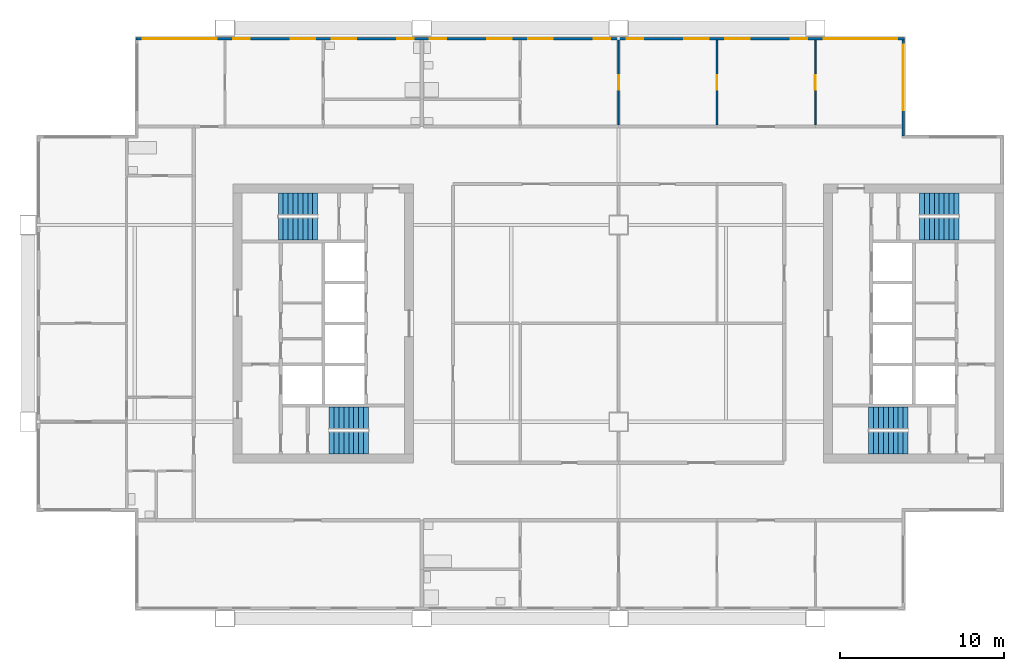
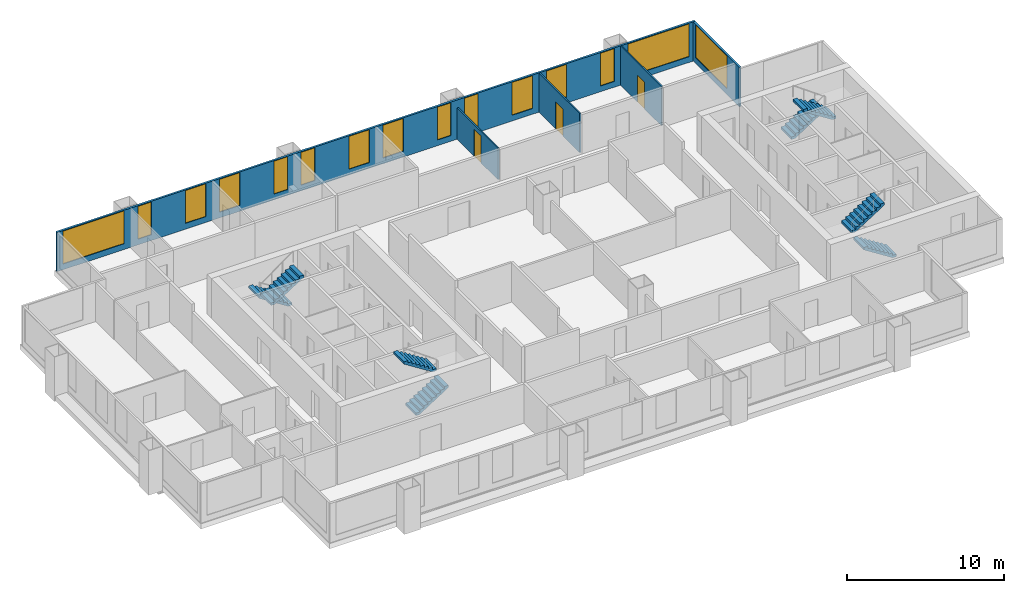
# One storey, part 7 of 9: 15 windows, 8 stair flights, 5 walls, 3 doors, 18 openings, 4 elements without a shape of their own.
"""IFC4 building model written with IfcOpenShell, lengths in metres."""

from ifc_helpers import new_model, si_unit, direction, frame, frame_2d, origin, place, context, subcontext, project, spatial, polyline, rectangle, outline, extrude, material, layer, layer_set, type_object, element, fill, aggregate, save


model = new_model("IFC4")

# Units and contexts
model_context = context("Model", 3, precision=1e-05, world=origin(), true_north=direction((0.0, 1.0)))
body_context = subcontext(model_context, "Body", "Model", "MODEL_VIEW")
ifc_project = project(units=[si_unit("LENGTHUNIT", "METRE"), si_unit("AREAUNIT", "SQUARE_METRE"), si_unit("VOLUMEUNIT", "CUBIC_METRE"), si_unit("PLANEANGLEUNIT", "RADIAN"), si_unit("MASSUNIT", "GRAM", prefix="KILO")], contexts=[model_context])

# Site, building, storey
site_placement = place(None, origin())
site = spatial("IfcSite", under=ifc_project, at=site_placement, CompositionType="ELEMENT")
building_placement = place(site_placement, origin())
building = spatial("IfcBuilding", under=site, at=building_placement, Name="Kitamizu Gate Tower and Museum", CompositionType="ELEMENT")
storey_placement = place(building_placement, frame((0.0, 0.0, 206.550048828125)))
storey = spatial("IfcBuildingStorey", under=building, at=storey_placement, Name="L55", CompositionType="ELEMENT", Elevation=206.550048828125)

# Wall, opening, door
ifc_material_1 = material(Name="Gypsum board on galvanised stud")
ifc_layer_1 = layer(ifc_material_1, 0.10009765625)
ifc_layer_set_1 = layer_set([ifc_layer_1], Name="Gypsum board on galvanised stud")
wall_type_1 = type_object("IfcWallType", Name="Partition 100 NOT RATED", PredefinedType="PARTITIONING", material=ifc_layer_set_1)
wall_1_placement = place(storey_placement, frame((36.0, 42.10009765625, 0.0), z_axis=(0.0, 0.0, 1.0), x_axis=(0.0, 1.0, 0.0)))
wall_1 = element("IfcWall", 1, at=wall_1_placement, inside=storey, type_object=wall_type_1, Name="Partition L55-028", PredefinedType="PARTITIONING", context=body_context, shape_type="SweptSolid", body=[
    extrude(rectangle(XDim=5.179931640625, YDim=0.10009765625, at=frame_2d((2.58984375, 0.0))), origin(), (0.0, 0.0, 1.0), 2.449951171875),
])
opening_1_placement = place(wall_1_placement, frame((2.139892578125, 0.0, 0.0)))
opening_1 = element("IfcOpeningElement", 2, at=opening_1_placement, cuts=wall_1, Name="Opening L55-013", PredefinedType="OPENING", context=body_context, shape_type="SweptSolid", body=[
    extrude(rectangle(XDim=0.89990234375, YDim=2.10009765625, at=frame_2d((0.449951171875, 1.050048828125))), frame((0.0, 0.06005859375, 0.0), z_axis=(0.0, -1.0, 0.0), x_axis=(1.0, 0.0, 0.0)), (0.0, 0.0, 1.0), 0.1201171875),
])
ifc_material_2 = material(Name="Timber door set", Category="wood")
door_type = type_object("IfcDoorType", Name="Room door 900", OperationType="NOTDEFINED", PredefinedType="DOOR", material=ifc_material_2)
door_1_placement = place(opening_1_placement, origin())
door_1 = element("IfcDoor", 3, at=door_1_placement, inside=storey, type_object=door_type, Name="Door L55-013", OperationType="SINGLE_SWING_LEFT", OverallHeight=2.10009765625, OverallWidth=0.89990234375, PredefinedType="DOOR", context=body_context, shape_type="SweptSolid", body=[
    extrude(rectangle(XDim=0.89990234375, YDim=2.10009765625, at=frame_2d((0.449951171875, 1.050048828125))), frame((0.0, 0.02490234375, 0.0), z_axis=(0.0, -1.0, 0.0), x_axis=(1.0, 0.0, 0.0)), (0.0, 0.0, 1.0), 0.050048828125),
])
fill(opening_1, door_1)

wall_2_placement = place(storey_placement, frame((42.0, 42.10009765625, 0.0), z_axis=(0.0, 0.0, 1.0), x_axis=(0.0, 1.0, 0.0)))
wall_2 = element("IfcWall", 4, at=wall_2_placement, inside=storey, type_object=wall_type_1, Name="Partition L55-030", PredefinedType="PARTITIONING", context=body_context, shape_type="SweptSolid", body=[
    extrude(rectangle(XDim=5.179931640625, YDim=0.10009765625, at=frame_2d((2.58984375, 0.0))), origin(), (0.0, 0.0, 1.0), 3.050048828125),
])
opening_2_placement = place(wall_2_placement, frame((2.139892578125, 0.0, 0.0)))
opening_2 = element("IfcOpeningElement", 5, at=opening_2_placement, cuts=wall_2, Name="Opening L55-012", PredefinedType="OPENING", context=body_context, shape_type="SweptSolid", body=[
    extrude(rectangle(XDim=0.89990234375, YDim=2.10009765625, at=frame_2d((0.449951171875, 1.050048828125))), frame((0.0, 0.06005859375, 0.0), z_axis=(0.0, -1.0, 0.0), x_axis=(1.0, 0.0, 0.0)), (0.0, 0.0, 1.0), 0.1201171875),
])
door_2_placement = place(opening_2_placement, origin())
door_2 = element("IfcDoor", 6, at=door_2_placement, inside=storey, type_object=door_type, Name="Door L55-012", OperationType="SINGLE_SWING_RIGHT", OverallHeight=2.10009765625, OverallWidth=0.89990234375, PredefinedType="DOOR", context=body_context, shape_type="SweptSolid", body=[
    extrude(rectangle(XDim=0.89990234375, YDim=2.10009765625, at=frame_2d((0.449951171875, 1.050048828125))), frame((0.0, 0.02490234375, 0.0), z_axis=(0.0, -1.0, 0.0), x_axis=(1.0, 0.0, 0.0)), (0.0, 0.0, 1.0), 0.050048828125),
])
fill(opening_2, door_2)

wall_3_placement = place(storey_placement, frame((48.0, 42.10009765625, 0.0), z_axis=(0.0, 0.0, 1.0), x_axis=(0.0, 1.0, 0.0)))
wall_3 = element("IfcWall", 7, at=wall_3_placement, inside=storey, type_object=wall_type_1, Name="Partition L55-032", PredefinedType="PARTITIONING", context=body_context, shape_type="SweptSolid", body=[
    extrude(rectangle(XDim=5.179931640625, YDim=0.10009765625, at=frame_2d((2.58984375, 0.0))), origin(), (0.0, 0.0, 1.0), 3.050048828125),
])
opening_3_placement = place(wall_3_placement, frame((2.139892578125, 0.0, 0.0)))
opening_3 = element("IfcOpeningElement", 8, at=opening_3_placement, cuts=wall_3, Name="Opening L55-016", PredefinedType="OPENING", context=body_context, shape_type="SweptSolid", body=[
    extrude(rectangle(XDim=0.89990234375, YDim=2.10009765625, at=frame_2d((0.449951171875, 1.050048828125))), frame((0.0, 0.06005859375, 0.0), z_axis=(0.0, -1.0, 0.0), x_axis=(1.0, 0.0, 0.0)), (0.0, 0.0, 1.0), 0.1201171875),
])
door_3_placement = place(opening_3_placement, frame((0.89990234375, 0.0, 0.0), x_axis=(-1.0, 0.0, 0.0)))
door_3 = element("IfcDoor", 9, at=door_3_placement, inside=storey, type_object=door_type, Name="Door L55-016", OperationType="SINGLE_SWING_LEFT", OverallHeight=2.10009765625, OverallWidth=0.89990234375, PredefinedType="DOOR", context=body_context, shape_type="SweptSolid", body=[
    extrude(rectangle(XDim=0.89990234375, YDim=2.10009765625, at=frame_2d((0.449951171875, 1.050048828125))), frame((0.0, 0.02490234375, 0.0), z_axis=(0.0, -1.0, 0.0), x_axis=(1.0, 0.0, 0.0)), (0.0, 0.0, 1.0), 0.050048828125),
])
fill(opening_3, door_3)

# Wall, opening, window
ifc_material_3 = material(Name="Bronze anodised aluminium frame with insulated spandrel and tinted glass", Category="aluminium")
ifc_layer_2 = layer(ifc_material_3, 0.14990234375)
ifc_layer_set_2 = layer_set([ifc_layer_2], Name="Bronze anodised aluminium frame with insulated spandrel and tinted glass")
wall_type_2 = type_object("IfcWallType", Name="WINDOW WALL 150 BRONZE FRAME EI 30", PredefinedType="ELEMENTEDWALL", material=ifc_layer_set_2)
wall_4_placement = place(storey_placement, frame((53.364990234375, 41.43994140625, 0.0), z_axis=(0.0, 0.0, 1.0), x_axis=(0.0, 1.0, 0.0)))
wall_4 = element("IfcWall", 10, at=wall_4_placement, inside=storey, type_object=wall_type_2, Name="Window wall east L55", PredefinedType="ELEMENTEDWALL", context=body_context, shape_type="SweptSolid", body=[
    extrude(rectangle(XDim=5.85009765625, YDim=0.14990234375, at=frame_2d((2.925048828125, 0.0))), origin(), (0.0, 0.0, 1.0), 3.050048828125),
])
opening_4_placement = place(wall_4_placement, frame((1.56005859375, 0.0, 0.449951171875)))
opening_4 = element("IfcOpeningElement", 11, at=opening_4_placement, cuts=wall_4, Name="Opening W16", PredefinedType="OPENING", context=body_context, shape_type="SweptSolid", body=[
    extrude(rectangle(XDim=4.0, YDim=2.550048828125, at=frame_2d((2.0, 1.27490234375))), frame((0.0, 0.0849609375, 0.0), z_axis=(0.0, -1.0, 0.0), x_axis=(1.0, 0.0, 0.0)), (0.0, 0.0, 1.0), 0.169921875),
])
ifc_material_4 = material(Name="Bronze anodised aluminium frame, tinted triple glazing", Category="aluminium")
window_type_1 = type_object("IfcWindowType", Name="WINDOW 4000 x 2550 SILL 450", PartitioningType="SINGLE_PANEL", PredefinedType="WINDOW", material=ifc_material_4)
window_1_placement = place(opening_4_placement, origin())
window_1 = element("IfcWindow", 12, at=window_1_placement, inside=storey, type_object=window_type_1, Name="Window W16 L55", OverallHeight=2.550048828125, OverallWidth=4.0, PartitioningType="SINGLE_PANEL", PredefinedType="WINDOW", context=body_context, shape_type="SweptSolid", body=[
    extrude(rectangle(XDim=4.0, YDim=2.550048828125, at=frame_2d((2.0, 1.27490234375))), frame((0.0, 0.030029296875, 0.0), z_axis=(0.0, -1.0, 0.0), x_axis=(1.0, 0.0, 0.0)), (0.0, 0.0, 1.0), 0.06005859375),
])
fill(opening_4, window_1)

# Wall, openings, windows
wall_5_placement = place(storey_placement, frame((6.56005859375, 47.364990234375, 0.0), z_axis=(0.0, 0.0, 1.0), x_axis=(1.0, 0.0, 0.0)))
wall_5 = element("IfcWall", 13, at=wall_5_placement, inside=storey, type_object=wall_type_2, Name="Window wall north L55", PredefinedType="ELEMENTEDWALL", context=body_context, shape_type="SweptSolid", body=[
    extrude(rectangle(XDim=46.8798828125, YDim=0.14990234375, at=frame_2d((23.43994140625, 0.0))), origin(), (0.0, 0.0, 1.0), 3.050048828125),
])
opening_5_placement = place(wall_5_placement, frame((0.43994140625, 0.0, 0.449951171875)))
opening_5 = element("IfcOpeningElement", 14, at=opening_5_placement, cuts=wall_5, Name="Opening W15", PredefinedType="OPENING", context=body_context, shape_type="SweptSolid", body=[
    extrude(rectangle(XDim=4.5, YDim=2.550048828125, at=frame_2d((2.25, 1.27490234375))), frame((0.0, 0.0849609375, 0.0), z_axis=(0.0, -1.0, 0.0), x_axis=(1.0, 0.0, 0.0)), (0.0, 0.0, 1.0), 0.169921875),
])
opening_6_placement = place(wall_5_placement, frame((5.93994140625, 0.0, 0.449951171875)))
opening_6 = element("IfcOpeningElement", 15, at=opening_6_placement, cuts=wall_5, Name="Opening W26", PredefinedType="OPENING", context=body_context, shape_type="SweptSolid", body=[
    extrude(rectangle(XDim=1.0, YDim=2.550048828125, at=frame_2d((0.5, 1.27490234375))), frame((0.0, 0.0849609375, 0.0), z_axis=(0.0, -1.0, 0.0), x_axis=(1.0, 0.0, 0.0)), (0.0, 0.0, 1.0), 0.169921875),
])
opening_7_placement = place(wall_5_placement, frame((9.43994140625, 0.0, 0.449951171875)))
opening_7 = element("IfcOpeningElement", 16, at=opening_7_placement, cuts=wall_5, Name="Opening W28", PredefinedType="OPENING", context=body_context, shape_type="SweptSolid", body=[
    extrude(rectangle(XDim=1.5, YDim=2.550048828125, at=frame_2d((0.75, 1.27490234375))), frame((0.0, 0.0849609375, 0.0), z_axis=(0.0, -1.0, 0.0), x_axis=(1.0, 0.0, 0.0)), (0.0, 0.0, 1.0), 0.169921875),
])
opening_8_placement = place(wall_5_placement, frame((11.93994140625, 0.0, 0.449951171875)))
opening_8 = element("IfcOpeningElement", 17, at=opening_8_placement, cuts=wall_5, Name="Opening W28", PredefinedType="OPENING", context=body_context, shape_type="SweptSolid", body=[
    extrude(rectangle(XDim=1.5, YDim=2.550048828125, at=frame_2d((0.75, 1.27490234375))), frame((0.0, 0.0849609375, 0.0), z_axis=(0.0, -1.0, 0.0), x_axis=(1.0, 0.0, 0.0)), (0.0, 0.0, 1.0), 0.169921875),
])
opening_9_placement = place(wall_5_placement, frame((15.93994140625, 0.0, 0.449951171875)))
opening_9 = element("IfcOpeningElement", 18, at=opening_9_placement, cuts=wall_5, Name="Opening W26", PredefinedType="OPENING", context=body_context, shape_type="SweptSolid", body=[
    extrude(rectangle(XDim=1.0, YDim=2.550048828125, at=frame_2d((0.5, 1.27490234375))), frame((0.0, 0.0849609375, 0.0), z_axis=(0.0, -1.0, 0.0), x_axis=(1.0, 0.0, 0.0)), (0.0, 0.0, 1.0), 0.169921875),
])
opening_10_placement = place(wall_5_placement, frame((17.93994140625, 0.0, 0.449951171875)))
opening_10 = element("IfcOpeningElement", 19, at=opening_10_placement, cuts=wall_5, Name="Opening W26", PredefinedType="OPENING", context=body_context, shape_type="SweptSolid", body=[
    extrude(rectangle(XDim=1.0, YDim=2.550048828125, at=frame_2d((0.5, 1.27490234375))), frame((0.0, 0.0849609375, 0.0), z_axis=(0.0, -1.0, 0.0), x_axis=(1.0, 0.0, 0.0)), (0.0, 0.0, 1.0), 0.169921875),
])
opening_11_placement = place(wall_5_placement, frame((21.43994140625, 0.0, 0.449951171875)))
opening_11 = element("IfcOpeningElement", 20, at=opening_11_placement, cuts=wall_5, Name="Opening W28", PredefinedType="OPENING", context=body_context, shape_type="SweptSolid", body=[
    extrude(rectangle(XDim=1.5, YDim=2.550048828125, at=frame_2d((0.75, 1.27490234375))), frame((0.0, 0.0849609375, 0.0), z_axis=(0.0, -1.0, 0.0), x_axis=(1.0, 0.0, 0.0)), (0.0, 0.0, 1.0), 0.169921875),
])
opening_12_placement = place(wall_5_placement, frame((23.93994140625, 0.0, 0.449951171875)))
opening_12 = element("IfcOpeningElement", 21, at=opening_12_placement, cuts=wall_5, Name="Opening W28", PredefinedType="OPENING", context=body_context, shape_type="SweptSolid", body=[
    extrude(rectangle(XDim=1.5, YDim=2.550048828125, at=frame_2d((0.75, 1.27490234375))), frame((0.0, 0.0849609375, 0.0), z_axis=(0.0, -1.0, 0.0), x_axis=(1.0, 0.0, 0.0)), (0.0, 0.0, 1.0), 0.169921875),
])
opening_13_placement = place(wall_5_placement, frame((27.93994140625, 0.0, 0.449951171875)))
opening_13 = element("IfcOpeningElement", 22, at=opening_13_placement, cuts=wall_5, Name="Opening W26", PredefinedType="OPENING", context=body_context, shape_type="SweptSolid", body=[
    extrude(rectangle(XDim=1.0, YDim=2.550048828125, at=frame_2d((0.5, 1.27490234375))), frame((0.0, 0.0849609375, 0.0), z_axis=(0.0, -1.0, 0.0), x_axis=(1.0, 0.0, 0.0)), (0.0, 0.0, 1.0), 0.169921875),
])
opening_14_placement = place(wall_5_placement, frame((29.93994140625, 0.0, 0.449951171875)))
opening_14 = element("IfcOpeningElement", 23, at=opening_14_placement, cuts=wall_5, Name="Opening W26", PredefinedType="OPENING", context=body_context, shape_type="SweptSolid", body=[
    extrude(rectangle(XDim=1.0, YDim=2.550048828125, at=frame_2d((0.5, 1.27490234375))), frame((0.0, 0.0849609375, 0.0), z_axis=(0.0, -1.0, 0.0), x_axis=(1.0, 0.0, 0.0)), (0.0, 0.0, 1.0), 0.169921875),
])
opening_15_placement = place(wall_5_placement, frame((33.43994140625, 0.0, 0.449951171875)))
opening_15 = element("IfcOpeningElement", 24, at=opening_15_placement, cuts=wall_5, Name="Opening W28", PredefinedType="OPENING", context=body_context, shape_type="SweptSolid", body=[
    extrude(rectangle(XDim=1.5, YDim=2.550048828125, at=frame_2d((0.75, 1.27490234375))), frame((0.0, 0.0849609375, 0.0), z_axis=(0.0, -1.0, 0.0), x_axis=(1.0, 0.0, 0.0)), (0.0, 0.0, 1.0), 0.169921875),
])
opening_16_placement = place(wall_5_placement, frame((35.93994140625, 0.0, 0.449951171875)))
opening_16 = element("IfcOpeningElement", 25, at=opening_16_placement, cuts=wall_5, Name="Opening W28", PredefinedType="OPENING", context=body_context, shape_type="SweptSolid", body=[
    extrude(rectangle(XDim=1.5, YDim=2.550048828125, at=frame_2d((0.75, 1.27490234375))), frame((0.0, 0.0849609375, 0.0), z_axis=(0.0, -1.0, 0.0), x_axis=(1.0, 0.0, 0.0)), (0.0, 0.0, 1.0), 0.169921875),
])
opening_17_placement = place(wall_5_placement, frame((39.93994140625, 0.0, 0.449951171875)))
opening_17 = element("IfcOpeningElement", 26, at=opening_17_placement, cuts=wall_5, Name="Opening W26", PredefinedType="OPENING", context=body_context, shape_type="SweptSolid", body=[
    extrude(rectangle(XDim=1.0, YDim=2.550048828125, at=frame_2d((0.5, 1.27490234375))), frame((0.0, 0.0849609375, 0.0), z_axis=(0.0, -1.0, 0.0), x_axis=(1.0, 0.0, 0.0)), (0.0, 0.0, 1.0), 0.169921875),
])
opening_18_placement = place(wall_5_placement, frame((41.93994140625, 0.0, 0.449951171875)))
opening_18 = element("IfcOpeningElement", 27, at=opening_18_placement, cuts=wall_5, Name="Opening W15", PredefinedType="OPENING", context=body_context, shape_type="SweptSolid", body=[
    extrude(rectangle(XDim=4.5, YDim=2.550048828125, at=frame_2d((2.25, 1.27490234375))), frame((0.0, 0.0849609375, 0.0), z_axis=(0.0, -1.0, 0.0), x_axis=(1.0, 0.0, 0.0)), (0.0, 0.0, 1.0), 0.169921875),
])
ifc_material_5 = material(Name="Bronze anodised aluminium frame, tinted triple glazing", Category="aluminium")
window_type_2 = type_object("IfcWindowType", Name="WINDOW 1000 x 2550 SILL 450", PartitioningType="SINGLE_PANEL", PredefinedType="WINDOW", material=ifc_material_5)
window_2_placement = place(opening_6_placement, origin())
window_2 = element("IfcWindow", 28, at=window_2_placement, inside=storey, type_object=window_type_2, Name="Window W26 L55", OverallHeight=2.550048828125, OverallWidth=1.0, PartitioningType="SINGLE_PANEL", PredefinedType="WINDOW", context=body_context, shape_type="SweptSolid", body=[
    extrude(rectangle(XDim=1.0, YDim=2.550048828125, at=frame_2d((0.5, 1.27490234375))), frame((0.0, 0.030029296875, 0.0), z_axis=(0.0, -1.0, 0.0), x_axis=(1.0, 0.0, 0.0)), (0.0, 0.0, 1.0), 0.06005859375),
])
fill(opening_6, window_2)
window_3_placement = place(opening_9_placement, origin())
window_3 = element("IfcWindow", 29, at=window_3_placement, inside=storey, type_object=window_type_2, Name="Window W26 L55", OverallHeight=2.550048828125, OverallWidth=1.0, PartitioningType="SINGLE_PANEL", PredefinedType="WINDOW", context=body_context, shape_type="SweptSolid", body=[
    extrude(rectangle(XDim=1.0, YDim=2.550048828125, at=frame_2d((0.5, 1.27490234375))), frame((0.0, 0.030029296875, 0.0), z_axis=(0.0, -1.0, 0.0), x_axis=(1.0, 0.0, 0.0)), (0.0, 0.0, 1.0), 0.06005859375),
])
fill(opening_9, window_3)
window_4_placement = place(opening_10_placement, origin())
window_4 = element("IfcWindow", 30, at=window_4_placement, inside=storey, type_object=window_type_2, Name="Window W26 L55", OverallHeight=2.550048828125, OverallWidth=1.0, PartitioningType="SINGLE_PANEL", PredefinedType="WINDOW", context=body_context, shape_type="SweptSolid", body=[
    extrude(rectangle(XDim=1.0, YDim=2.550048828125, at=frame_2d((0.5, 1.27490234375))), frame((0.0, 0.030029296875, 0.0), z_axis=(0.0, -1.0, 0.0), x_axis=(1.0, 0.0, 0.0)), (0.0, 0.0, 1.0), 0.06005859375),
])
fill(opening_10, window_4)
window_5_placement = place(opening_13_placement, origin())
window_5 = element("IfcWindow", 31, at=window_5_placement, inside=storey, type_object=window_type_2, Name="Window W26 L55", OverallHeight=2.550048828125, OverallWidth=1.0, PartitioningType="SINGLE_PANEL", PredefinedType="WINDOW", context=body_context, shape_type="SweptSolid", body=[
    extrude(rectangle(XDim=1.0, YDim=2.550048828125, at=frame_2d((0.5, 1.27490234375))), frame((0.0, 0.030029296875, 0.0), z_axis=(0.0, -1.0, 0.0), x_axis=(1.0, 0.0, 0.0)), (0.0, 0.0, 1.0), 0.06005859375),
])
fill(opening_13, window_5)
window_6_placement = place(opening_14_placement, origin())
window_6 = element("IfcWindow", 32, at=window_6_placement, inside=storey, type_object=window_type_2, Name="Window W26 L55", OverallHeight=2.550048828125, OverallWidth=1.0, PartitioningType="SINGLE_PANEL", PredefinedType="WINDOW", context=body_context, shape_type="SweptSolid", body=[
    extrude(rectangle(XDim=1.0, YDim=2.550048828125, at=frame_2d((0.5, 1.27490234375))), frame((0.0, 0.030029296875, 0.0), z_axis=(0.0, -1.0, 0.0), x_axis=(1.0, 0.0, 0.0)), (0.0, 0.0, 1.0), 0.06005859375),
])
fill(opening_14, window_6)
window_7_placement = place(opening_17_placement, origin())
window_7 = element("IfcWindow", 33, at=window_7_placement, inside=storey, type_object=window_type_2, Name="Window W26 L55", OverallHeight=2.550048828125, OverallWidth=1.0, PartitioningType="SINGLE_PANEL", PredefinedType="WINDOW", context=body_context, shape_type="SweptSolid", body=[
    extrude(rectangle(XDim=1.0, YDim=2.550048828125, at=frame_2d((0.5, 1.27490234375))), frame((0.0, 0.030029296875, 0.0), z_axis=(0.0, -1.0, 0.0), x_axis=(1.0, 0.0, 0.0)), (0.0, 0.0, 1.0), 0.06005859375),
])
fill(opening_17, window_7)
ifc_material_6 = material(Name="Bronze anodised aluminium frame, tinted triple glazing", Category="aluminium")
window_type_3 = type_object("IfcWindowType", Name="WINDOW 1500 x 2550 SILL 450", PartitioningType="SINGLE_PANEL", PredefinedType="WINDOW", material=ifc_material_6)
window_8_placement = place(opening_7_placement, origin())
window_8 = element("IfcWindow", 34, at=window_8_placement, inside=storey, type_object=window_type_3, Name="Window W28 L55", OverallHeight=2.550048828125, OverallWidth=1.5, PartitioningType="SINGLE_PANEL", PredefinedType="WINDOW", context=body_context, shape_type="SweptSolid", body=[
    extrude(rectangle(XDim=1.5, YDim=2.550048828125, at=frame_2d((0.75, 1.27490234375))), frame((0.0, 0.030029296875, 0.0), z_axis=(0.0, -1.0, 0.0), x_axis=(1.0, 0.0, 0.0)), (0.0, 0.0, 1.0), 0.06005859375),
])
fill(opening_7, window_8)
window_9_placement = place(opening_8_placement, origin())
window_9 = element("IfcWindow", 35, at=window_9_placement, inside=storey, type_object=window_type_3, Name="Window W28 L55", OverallHeight=2.550048828125, OverallWidth=1.5, PartitioningType="SINGLE_PANEL", PredefinedType="WINDOW", context=body_context, shape_type="SweptSolid", body=[
    extrude(rectangle(XDim=1.5, YDim=2.550048828125, at=frame_2d((0.75, 1.27490234375))), frame((0.0, 0.030029296875, 0.0), z_axis=(0.0, -1.0, 0.0), x_axis=(1.0, 0.0, 0.0)), (0.0, 0.0, 1.0), 0.06005859375),
])
fill(opening_8, window_9)
window_10_placement = place(opening_11_placement, origin())
window_10 = element("IfcWindow", 36, at=window_10_placement, inside=storey, type_object=window_type_3, Name="Window W28 L55", OverallHeight=2.550048828125, OverallWidth=1.5, PartitioningType="SINGLE_PANEL", PredefinedType="WINDOW", context=body_context, shape_type="SweptSolid", body=[
    extrude(rectangle(XDim=1.5, YDim=2.550048828125, at=frame_2d((0.75, 1.27490234375))), frame((0.0, 0.030029296875, 0.0), z_axis=(0.0, -1.0, 0.0), x_axis=(1.0, 0.0, 0.0)), (0.0, 0.0, 1.0), 0.06005859375),
])
fill(opening_11, window_10)
window_11_placement = place(opening_12_placement, origin())
window_11 = element("IfcWindow", 37, at=window_11_placement, inside=storey, type_object=window_type_3, Name="Window W28 L55", OverallHeight=2.550048828125, OverallWidth=1.5, PartitioningType="SINGLE_PANEL", PredefinedType="WINDOW", context=body_context, shape_type="SweptSolid", body=[
    extrude(rectangle(XDim=1.5, YDim=2.550048828125, at=frame_2d((0.75, 1.27490234375))), frame((0.0, 0.030029296875, 0.0), z_axis=(0.0, -1.0, 0.0), x_axis=(1.0, 0.0, 0.0)), (0.0, 0.0, 1.0), 0.06005859375),
])
fill(opening_12, window_11)
window_12_placement = place(opening_15_placement, origin())
window_12 = element("IfcWindow", 38, at=window_12_placement, inside=storey, type_object=window_type_3, Name="Window W28 L55", OverallHeight=2.550048828125, OverallWidth=1.5, PartitioningType="SINGLE_PANEL", PredefinedType="WINDOW", context=body_context, shape_type="SweptSolid", body=[
    extrude(rectangle(XDim=1.5, YDim=2.550048828125, at=frame_2d((0.75, 1.27490234375))), frame((0.0, 0.030029296875, 0.0), z_axis=(0.0, -1.0, 0.0), x_axis=(1.0, 0.0, 0.0)), (0.0, 0.0, 1.0), 0.06005859375),
])
fill(opening_15, window_12)
window_13_placement = place(opening_16_placement, origin())
window_13 = element("IfcWindow", 39, at=window_13_placement, inside=storey, type_object=window_type_3, Name="Window W28 L55", OverallHeight=2.550048828125, OverallWidth=1.5, PartitioningType="SINGLE_PANEL", PredefinedType="WINDOW", context=body_context, shape_type="SweptSolid", body=[
    extrude(rectangle(XDim=1.5, YDim=2.550048828125, at=frame_2d((0.75, 1.27490234375))), frame((0.0, 0.030029296875, 0.0), z_axis=(0.0, -1.0, 0.0), x_axis=(1.0, 0.0, 0.0)), (0.0, 0.0, 1.0), 0.06005859375),
])
fill(opening_16, window_13)
ifc_material_7 = material(Name="Bronze anodised aluminium frame, tinted triple glazing", Category="aluminium")
window_type_4 = type_object("IfcWindowType", Name="WINDOW 4500 x 2550 SILL 450", PartitioningType="SINGLE_PANEL", PredefinedType="WINDOW", material=ifc_material_7)
window_14_placement = place(opening_5_placement, origin())
window_14 = element("IfcWindow", 40, at=window_14_placement, inside=storey, type_object=window_type_4, Name="Window W15 L55", OverallHeight=2.550048828125, OverallWidth=4.5, PartitioningType="SINGLE_PANEL", PredefinedType="WINDOW", context=body_context, shape_type="SweptSolid", body=[
    extrude(rectangle(XDim=4.5, YDim=2.550048828125, at=frame_2d((2.25, 1.27490234375))), frame((0.0, 0.030029296875, 0.0), z_axis=(0.0, -1.0, 0.0), x_axis=(1.0, 0.0, 0.0)), (0.0, 0.0, 1.0), 0.06005859375),
])
fill(opening_5, window_14)
window_15_placement = place(opening_18_placement, origin())
window_15 = element("IfcWindow", 41, at=window_15_placement, inside=storey, type_object=window_type_4, Name="Window W15 L55", OverallHeight=2.550048828125, OverallWidth=4.5, PartitioningType="SINGLE_PANEL", PredefinedType="WINDOW", context=body_context, shape_type="SweptSolid", body=[
    extrude(rectangle(XDim=4.5, YDim=2.550048828125, at=frame_2d((2.25, 1.27490234375))), frame((0.0, 0.030029296875, 0.0), z_axis=(0.0, -1.0, 0.0), x_axis=(1.0, 0.0, 0.0)), (0.0, 0.0, 1.0), 0.06005859375),
])
fill(opening_18, window_15)

# Stair, stair flights
ifc_material_8 = material(Name="Concrete Fc42", Category="concrete")
stair_type = type_object("IfcStairType", Name="Exit stair 1325 wide 192 rise 300 going", PredefinedType="HALF_TURN_STAIR", material=ifc_material_8)
stair_1_placement = place(storey_placement, origin())
stair_1 = element("IfcStair", 42, at=stair_1_placement, inside=storey, type_object=stair_type, Name="Exit stair ST1", PredefinedType="HALF_TURN_STAIR")
ifc_material_9 = material(Name="Concrete Fc42", Category="concrete")
stair_flight_type = type_object("IfcStairFlightType", Name="Stair flight 1325 wide 192 rise 300 going", PredefinedType="STRAIGHT", material=ifc_material_9)
stair_flight_1_placement = place(storey_placement, frame((18.35009765625, 22.71240234375, 0.0), z_axis=(0.0, 0.0, 1.0), x_axis=(1.0, 0.0, 0.0)))
stair_flight_1 = element("IfcStairFlight", 43, at=stair_flight_1_placement, type_object=stair_flight_type, Name="ST1 flight 1", NumberOfRisers=9, NumberOfTreads=8, PredefinedType="STRAIGHT", RiserHeight=0.191666667, TreadLength=0.3, context=body_context, shape_type="SweptSolid", body=[
    extrude(outline(polyline([(0.0, 0.0), (0.0, 0.191650390625), (0.300048828125, 0.191650390625), (0.300048828125, 0.38330078125), (0.60009765625, 0.38330078125), (0.60009765625, 0.574951171875), (0.89990234375, 0.574951171875), (0.89990234375, 0.7666015625), (1.199951171875, 0.7666015625), (1.199951171875, 0.958251953125), (1.5, 0.958251953125), (1.5, 1.14990234375), (1.800048828125, 1.14990234375), (1.800048828125, 1.341552734375), (2.10009765625, 1.341552734375), (2.10009765625, 1.533447265625), (2.39990234375, 1.533447265625), (2.39990234375, 1.72509765625), (2.39990234375, 1.35546875), (0.2783203125, 0.0), (0.0, 0.0)])), frame((0.0, 0.66259765625, 0.0), z_axis=(0.0, -1.0, 0.0), x_axis=(1.0, 0.0, 0.0)), (0.0, 0.0, 1.0), 1.324951171875),
])
stair_flight_2_placement = place(storey_placement, frame((20.75, 24.237548828125, 1.724853515625), z_axis=(0.0, 0.0, 1.0), x_axis=(-1.0, 0.0, 0.0)))
stair_flight_2 = element("IfcStairFlight", 44, at=stair_flight_2_placement, type_object=stair_flight_type, Name="ST1 flight 2", NumberOfRisers=9, NumberOfTreads=8, PredefinedType="STRAIGHT", RiserHeight=0.191666667, TreadLength=0.3, context=body_context, shape_type="SweptSolid", body=[
    extrude(outline(polyline([(0.0, 0.0), (0.0, 0.191650390625), (0.300048828125, 0.191650390625), (0.300048828125, 0.38330078125), (0.60009765625, 0.38330078125), (0.60009765625, 0.574951171875), (0.89990234375, 0.574951171875), (0.89990234375, 0.7666015625), (1.199951171875, 0.7666015625), (1.199951171875, 0.958251953125), (1.5, 0.958251953125), (1.5, 1.14990234375), (1.800048828125, 1.14990234375), (1.800048828125, 1.341552734375), (2.10009765625, 1.341552734375), (2.10009765625, 1.533447265625), (2.39990234375, 1.533447265625), (2.39990234375, 1.72509765625), (2.39990234375, 1.35546875), (0.2783203125, 0.0), (0.0, 0.0)])), frame((0.0, 0.66259765625, 0.0), z_axis=(0.0, -1.0, 0.0), x_axis=(1.0, 0.0, 0.0)), (0.0, 0.0, 1.0), 1.324951171875),
])
aggregate(stair_1, [stair_flight_1, stair_flight_2])

stair_2_placement = place(storey_placement, origin())
stair_2 = element("IfcStair", 45, at=stair_2_placement, inside=storey, type_object=stair_type, Name="Exit stair ST2", PredefinedType="HALF_TURN_STAIR")
stair_flight_3_placement = place(storey_placement, frame((17.64990234375, 37.28759765625, 0.0), z_axis=(0.0, 0.0, 1.0), x_axis=(-1.0, 0.0, 0.0)))
stair_flight_3 = element("IfcStairFlight", 46, at=stair_flight_3_placement, type_object=stair_flight_type, Name="ST2 flight 1", NumberOfRisers=9, NumberOfTreads=8, PredefinedType="STRAIGHT", RiserHeight=0.191666667, TreadLength=0.3, context=body_context, shape_type="SweptSolid", body=[
    extrude(outline(polyline([(0.0, 0.0), (0.0, 0.191650390625), (0.300048828125, 0.191650390625), (0.300048828125, 0.38330078125), (0.60009765625, 0.38330078125), (0.60009765625, 0.574951171875), (0.89990234375, 0.574951171875), (0.89990234375, 0.7666015625), (1.199951171875, 0.7666015625), (1.199951171875, 0.958251953125), (1.5, 0.958251953125), (1.5, 1.14990234375), (1.800048828125, 1.14990234375), (1.800048828125, 1.341552734375), (2.10009765625, 1.341552734375), (2.10009765625, 1.533447265625), (2.39990234375, 1.533447265625), (2.39990234375, 1.72509765625), (2.39990234375, 1.35546875), (0.2783203125, 0.0), (0.0, 0.0)])), frame((0.0, 0.66259765625, 0.0), z_axis=(0.0, -1.0, 0.0), x_axis=(1.0, 0.0, 0.0)), (0.0, 0.0, 1.0), 1.324951171875),
])
stair_flight_4_placement = place(storey_placement, frame((15.25, 35.762451171875, 1.724853515625), z_axis=(0.0, 0.0, 1.0), x_axis=(1.0, 0.0, 0.0)))
stair_flight_4 = element("IfcStairFlight", 47, at=stair_flight_4_placement, type_object=stair_flight_type, Name="ST2 flight 2", NumberOfRisers=9, NumberOfTreads=8, PredefinedType="STRAIGHT", RiserHeight=0.191666667, TreadLength=0.3, context=body_context, shape_type="SweptSolid", body=[
    extrude(outline(polyline([(0.0, 0.0), (0.0, 0.191650390625), (0.300048828125, 0.191650390625), (0.300048828125, 0.38330078125), (0.60009765625, 0.38330078125), (0.60009765625, 0.574951171875), (0.89990234375, 0.574951171875), (0.89990234375, 0.7666015625), (1.199951171875, 0.7666015625), (1.199951171875, 0.958251953125), (1.5, 0.958251953125), (1.5, 1.14990234375), (1.800048828125, 1.14990234375), (1.800048828125, 1.341552734375), (2.10009765625, 1.341552734375), (2.10009765625, 1.533447265625), (2.39990234375, 1.533447265625), (2.39990234375, 1.72509765625), (2.39990234375, 1.35546875), (0.2783203125, 0.0), (0.0, 0.0)])), frame((0.0, 0.66259765625, 0.0), z_axis=(0.0, -1.0, 0.0), x_axis=(1.0, 0.0, 0.0)), (0.0, 0.0, 1.0), 1.324951171875),
])
aggregate(stair_2, [stair_flight_3, stair_flight_4])

stair_3_placement = place(storey_placement, origin())
stair_3 = element("IfcStair", 48, at=stair_3_placement, inside=storey, type_object=stair_type, Name="Exit stair ST3", PredefinedType="HALF_TURN_STAIR")
stair_flight_5_placement = place(storey_placement, frame((53.64990234375, 22.71240234375, 0.0), z_axis=(0.0, 0.0, 1.0), x_axis=(-1.0, 0.0, 0.0)))
stair_flight_5 = element("IfcStairFlight", 49, at=stair_flight_5_placement, type_object=stair_flight_type, Name="ST3 flight 1", NumberOfRisers=9, NumberOfTreads=8, PredefinedType="STRAIGHT", RiserHeight=0.191666667, TreadLength=0.3, context=body_context, shape_type="SweptSolid", body=[
    extrude(outline(polyline([(0.0, 0.0), (0.0, 0.191650390625), (0.300048828125, 0.191650390625), (0.300048828125, 0.38330078125), (0.60009765625, 0.38330078125), (0.60009765625, 0.574951171875), (0.89990234375, 0.574951171875), (0.89990234375, 0.7666015625), (1.199951171875, 0.7666015625), (1.199951171875, 0.958251953125), (1.5, 0.958251953125), (1.5, 1.14990234375), (1.800048828125, 1.14990234375), (1.800048828125, 1.341552734375), (2.10009765625, 1.341552734375), (2.10009765625, 1.533447265625), (2.39990234375, 1.533447265625), (2.39990234375, 1.72509765625), (2.39990234375, 1.35546875), (0.2783203125, 0.0), (0.0, 0.0)])), frame((0.0, 0.66259765625, 0.0), z_axis=(0.0, -1.0, 0.0), x_axis=(1.0, 0.0, 0.0)), (0.0, 0.0, 1.0), 1.324951171875),
])
stair_flight_6_placement = place(storey_placement, frame((51.25, 24.237548828125, 1.724853515625), z_axis=(0.0, 0.0, 1.0), x_axis=(1.0, 0.0, 0.0)))
stair_flight_6 = element("IfcStairFlight", 50, at=stair_flight_6_placement, type_object=stair_flight_type, Name="ST3 flight 2", NumberOfRisers=9, NumberOfTreads=8, PredefinedType="STRAIGHT", RiserHeight=0.191666667, TreadLength=0.3, context=body_context, shape_type="SweptSolid", body=[
    extrude(outline(polyline([(0.0, 0.0), (0.0, 0.191650390625), (0.300048828125, 0.191650390625), (0.300048828125, 0.38330078125), (0.60009765625, 0.38330078125), (0.60009765625, 0.574951171875), (0.89990234375, 0.574951171875), (0.89990234375, 0.7666015625), (1.199951171875, 0.7666015625), (1.199951171875, 0.958251953125), (1.5, 0.958251953125), (1.5, 1.14990234375), (1.800048828125, 1.14990234375), (1.800048828125, 1.341552734375), (2.10009765625, 1.341552734375), (2.10009765625, 1.533447265625), (2.39990234375, 1.533447265625), (2.39990234375, 1.72509765625), (2.39990234375, 1.35546875), (0.2783203125, 0.0), (0.0, 0.0)])), frame((0.0, 0.66259765625, 0.0), z_axis=(0.0, -1.0, 0.0), x_axis=(1.0, 0.0, 0.0)), (0.0, 0.0, 1.0), 1.324951171875),
])
aggregate(stair_3, [stair_flight_5, stair_flight_6])

stair_4_placement = place(storey_placement, origin())
stair_4 = element("IfcStair", 51, at=stair_4_placement, inside=storey, type_object=stair_type, Name="Exit stair ST4", PredefinedType="HALF_TURN_STAIR")
stair_flight_7_placement = place(storey_placement, frame((54.35009765625, 37.28759765625, 0.0), z_axis=(0.0, 0.0, 1.0), x_axis=(1.0, 0.0, 0.0)))
stair_flight_7 = element("IfcStairFlight", 52, at=stair_flight_7_placement, type_object=stair_flight_type, Name="ST4 flight 1", NumberOfRisers=9, NumberOfTreads=8, PredefinedType="STRAIGHT", RiserHeight=0.191666667, TreadLength=0.3, context=body_context, shape_type="SweptSolid", body=[
    extrude(outline(polyline([(0.0, 0.0), (0.0, 0.191650390625), (0.300048828125, 0.191650390625), (0.300048828125, 0.38330078125), (0.60009765625, 0.38330078125), (0.60009765625, 0.574951171875), (0.89990234375, 0.574951171875), (0.89990234375, 0.7666015625), (1.199951171875, 0.7666015625), (1.199951171875, 0.958251953125), (1.5, 0.958251953125), (1.5, 1.14990234375), (1.800048828125, 1.14990234375), (1.800048828125, 1.341552734375), (2.10009765625, 1.341552734375), (2.10009765625, 1.533447265625), (2.39990234375, 1.533447265625), (2.39990234375, 1.72509765625), (2.39990234375, 1.35546875), (0.2783203125, 0.0), (0.0, 0.0)])), frame((0.0, 0.66259765625, 0.0), z_axis=(0.0, -1.0, 0.0), x_axis=(1.0, 0.0, 0.0)), (0.0, 0.0, 1.0), 1.324951171875),
])
stair_flight_8_placement = place(storey_placement, frame((56.75, 35.762451171875, 1.724853515625), z_axis=(0.0, 0.0, 1.0), x_axis=(-1.0, 0.0, 0.0)))
stair_flight_8 = element("IfcStairFlight", 53, at=stair_flight_8_placement, type_object=stair_flight_type, Name="ST4 flight 2", NumberOfRisers=9, NumberOfTreads=8, PredefinedType="STRAIGHT", RiserHeight=0.191666667, TreadLength=0.3, context=body_context, shape_type="SweptSolid", body=[
    extrude(outline(polyline([(0.0, 0.0), (0.0, 0.191650390625), (0.300048828125, 0.191650390625), (0.300048828125, 0.38330078125), (0.60009765625, 0.38330078125), (0.60009765625, 0.574951171875), (0.89990234375, 0.574951171875), (0.89990234375, 0.7666015625), (1.199951171875, 0.7666015625), (1.199951171875, 0.958251953125), (1.5, 0.958251953125), (1.5, 1.14990234375), (1.800048828125, 1.14990234375), (1.800048828125, 1.341552734375), (2.10009765625, 1.341552734375), (2.10009765625, 1.533447265625), (2.39990234375, 1.533447265625), (2.39990234375, 1.72509765625), (2.39990234375, 1.35546875), (0.2783203125, 0.0), (0.0, 0.0)])), frame((0.0, 0.66259765625, 0.0), z_axis=(0.0, -1.0, 0.0), x_axis=(1.0, 0.0, 0.0)), (0.0, 0.0, 1.0), 1.324951171875),
])
aggregate(stair_4, [stair_flight_7, stair_flight_8])

save(model, "model.ifc")
